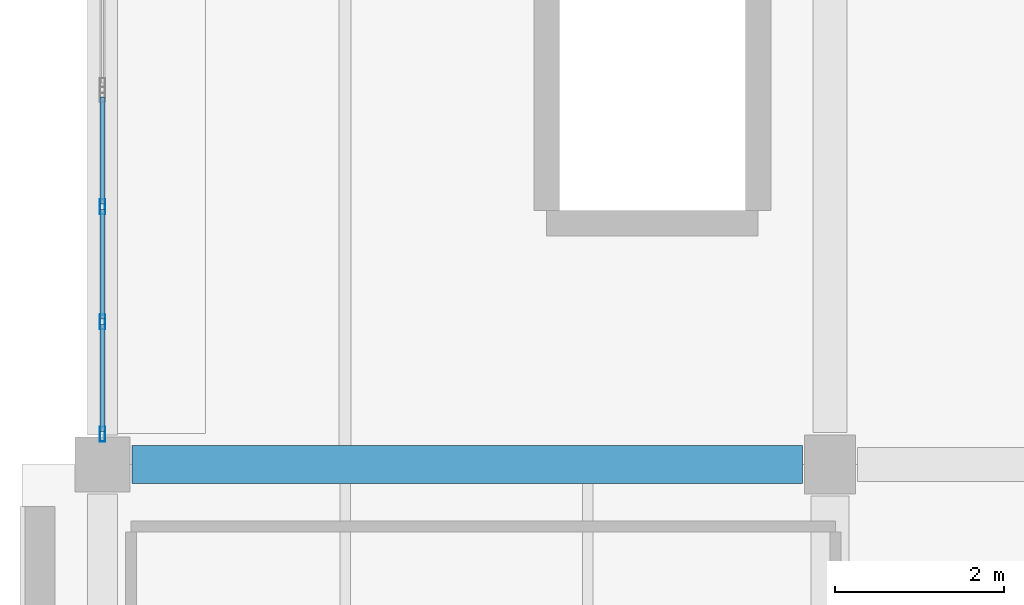
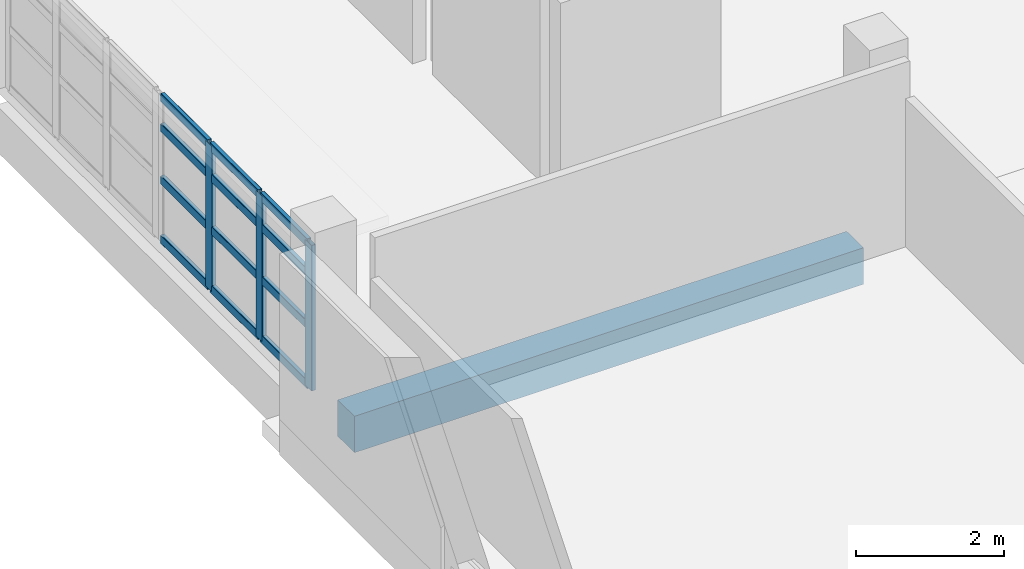
# One storey, part 7 of 34: 15 members, 1 beam, 1 element without a shape of its own.
"""IFC4 building model written with IfcOpenShell, lengths in metres."""

from ifc_helpers import new_model, si_unit, direction, frame, origin, origin_2d, place, context, subcontext, project, spatial, rectangle, hollow_rectangle, extrude, material, material_profile, profile_set, type_object, element, aggregate, save


model = new_model("IFC4")

# Units and contexts
model_context = context("Model", 3, precision=1e-05, world=origin(), true_north=direction((0.0, 1.0)))
body_context = subcontext(model_context, "Body", "Model", "MODEL_VIEW")
ifc_project = project(units=[si_unit("LENGTHUNIT", "METRE"), si_unit("AREAUNIT", "SQUARE_METRE"), si_unit("VOLUMEUNIT", "CUBIC_METRE"), si_unit("PLANEANGLEUNIT", "RADIAN"), si_unit("MASSUNIT", "GRAM", prefix="KILO")], contexts=[model_context])

# Site, building, storey
site_placement = place(None, origin())
site = spatial("IfcSite", under=ifc_project, at=site_placement, CompositionType="ELEMENT")
building_placement = place(site_placement, origin())
building = spatial("IfcBuilding", under=site, at=building_placement, Name="Varnakota Cinema and Media Centre", CompositionType="ELEMENT")
storey_placement = place(building_placement, frame((0.0, 0.0, 19.050048828125)))
storey = spatial("IfcBuildingStorey", under=building, at=storey_placement, Name="L05", CompositionType="ELEMENT", Elevation=19.050048828125)

# Beam
ifc_material_1 = material(Name="Concrete M35", Category="concrete")
ifc_material_profile_1 = material_profile(ifc_material_1, rectangle(XDim=0.449951171875, YDim=0.60009765625, at=origin_2d()), Name="RCB 450x600")
ifc_profile_set_1 = profile_set([ifc_material_profile_1], Name="Concrete M35")
beam_type = type_object("IfcBeamType", Name="BM-RC-450x600", PredefinedType="BEAM", material=ifc_profile_set_1)
beam_placement = place(storey_placement, frame((0.35009765625, 35.199951171875, -0.550048828125), z_axis=(1.0, 0.0, 0.0), x_axis=(0.0, 1.0, 0.0)))
element("IfcBeam", 1, at=beam_placement, inside=storey, type_object=beam_type, Name="L05 girder A-B/5", PredefinedType="BEAM", context=body_context, shape_type="SweptSolid", body=[
    extrude(rectangle(XDim=0.449951171875, YDim=0.60009765625, at=origin_2d()), origin(), (0.0, 0.0, 1.0), 7.9248046875),
])

# Curtain wall, members
ifc_material_2 = material(Name="Thermally broken anodised aluminium AW-6063", Category="aluminium")
curtain_wall_type = type_object("IfcCurtainWallType", Name="CW-STD-408x240", PredefinedType="USERDEFINED", material=ifc_material_2)
curtain_wall_placement = place(storey_placement, origin())
curtain_wall = element("IfcCurtainWall", 2, at=curtain_wall_placement, inside=storey, type_object=curtain_wall_type, Name="L05 curtain wall CW-L05-V5-W-03-2", ObjectType="UNITISED CURTAIN WALL", PredefinedType="USERDEFINED")
ifc_material_3 = material(Name="Thermally broken anodised aluminium AW-6063", Category="aluminium")
ifc_material_profile_2 = material_profile(ifc_material_3, hollow_rectangle(XDim=0.06494140625, YDim=0.179931640625, WallThickness=0.00390625, InnerFilletRadius=0.00390625, OuterFilletRadius=0.008056640625, at=origin_2d()), Name="AL-MULLION 180x65x4")
ifc_profile_set_2 = profile_set([ifc_material_profile_2], Name="Thermally broken anodised aluminium AW-6063")
member_type_1 = type_object("IfcMemberType", Name="CWM-AL-180", PredefinedType="MULLION", material=ifc_profile_set_2)
member_1_placement = place(storey_placement, frame((0.0, 38.2451171875, 0.0), z_axis=(0.0, 0.0, 1.0), x_axis=(1.0, 0.0, 0.0)))
member_1 = element("IfcMember", 3, at=member_1_placement, type_object=member_type_1, Name="CW57 mullion 2", PredefinedType="MULLION", context=body_context, shape_type="SweptSolid", body=[
    extrude(hollow_rectangle(XDim=0.06494140625, YDim=0.179931640625, WallThickness=0.00390625, InnerFilletRadius=0.00390625, OuterFilletRadius=0.008056640625, at=origin_2d()), origin(), (0.0, 0.0, 1.0), 2.39501953125),
])
member_2_placement = place(storey_placement, frame((0.0, 36.885009765625, 0.0), z_axis=(0.0, 0.0, 1.0), x_axis=(1.0, 0.0, 0.0)))
member_2 = element("IfcMember", 4, at=member_2_placement, type_object=member_type_1, Name="CW57 mullion 3", PredefinedType="MULLION", context=body_context, shape_type="SweptSolid", body=[
    extrude(hollow_rectangle(XDim=0.06494140625, YDim=0.179931640625, WallThickness=0.00390625, InnerFilletRadius=0.00390625, OuterFilletRadius=0.008056640625, at=origin_2d()), origin(), (0.0, 0.0, 1.0), 2.39501953125),
])
member_3_placement = place(storey_placement, frame((0.0, 35.5576171875, 0.0), z_axis=(0.0, 0.0, 1.0), x_axis=(1.0, 0.0, 0.0)))
member_3 = element("IfcMember", 5, at=member_3_placement, type_object=member_type_1, Name="CW57 mullion 4", PredefinedType="MULLION", context=body_context, shape_type="SweptSolid", body=[
    extrude(hollow_rectangle(XDim=0.06494140625, YDim=0.179931640625, WallThickness=0.00390625, InnerFilletRadius=0.00390625, OuterFilletRadius=0.008056640625, at=origin_2d()), origin(), (0.0, 0.0, 1.0), 2.39501953125),
])
ifc_material_4 = material(Name="Thermally broken anodised aluminium AW-6063", Category="aluminium")
ifc_material_profile_3 = material_profile(ifc_material_4, hollow_rectangle(XDim=0.06494140625, YDim=0.139892578125, WallThickness=0.00390625, InnerFilletRadius=0.00390625, OuterFilletRadius=0.008056640625, at=origin_2d()), Name="AL-TRANSOM 140x65x4")
ifc_profile_set_3 = profile_set([ifc_material_profile_3], Name="Thermally broken anodised aluminium AW-6063")
member_type_2 = type_object("IfcMemberType", Name="CWT-AL-140", PredefinedType="USERDEFINED", material=ifc_profile_set_3)
member_4_placement = place(storey_placement, frame((0.0, 39.5400390625, 0.032470703125), z_axis=(0.0, -1.0, 0.0), x_axis=(1.0, 0.0, 0.0)))
member_4 = element("IfcMember", 6, at=member_4_placement, type_object=member_type_2, Name="CW57 transom 1.1", ObjectType="TRANSOM", PredefinedType="USERDEFINED", context=body_context, shape_type="SweptSolid", body=[
    extrude(hollow_rectangle(XDim=0.06494140625, YDim=0.139892578125, WallThickness=0.00390625, InnerFilletRadius=0.00390625, OuterFilletRadius=0.008056640625, at=origin_2d()), origin(), (0.0, 0.0, 1.0), 1.262451171875),
])
member_5_placement = place(storey_placement, frame((0.0, 39.5400390625, 1.005859375), z_axis=(0.0, -1.0, 0.0), x_axis=(1.0, 0.0, 0.0)))
member_5 = element("IfcMember", 7, at=member_5_placement, type_object=member_type_2, Name="CW57 transom 1.2", ObjectType="TRANSOM", PredefinedType="USERDEFINED", context=body_context, shape_type="SweptSolid", body=[
    extrude(hollow_rectangle(XDim=0.06494140625, YDim=0.139892578125, WallThickness=0.00390625, InnerFilletRadius=0.00390625, OuterFilletRadius=0.008056640625, at=origin_2d()), origin(), (0.0, 0.0, 1.0), 1.262451171875),
])
member_6_placement = place(storey_placement, frame((0.0, 39.5400390625, 1.8681640625), z_axis=(0.0, -1.0, 0.0), x_axis=(1.0, 0.0, 0.0)))
member_6 = element("IfcMember", 8, at=member_6_placement, type_object=member_type_2, Name="CW57 transom 1.3", ObjectType="TRANSOM", PredefinedType="USERDEFINED", context=body_context, shape_type="SweptSolid", body=[
    extrude(hollow_rectangle(XDim=0.06494140625, YDim=0.139892578125, WallThickness=0.00390625, InnerFilletRadius=0.00390625, OuterFilletRadius=0.008056640625, at=origin_2d()), origin(), (0.0, 0.0, 1.0), 1.262451171875),
])
member_7_placement = place(storey_placement, frame((0.0, 39.5400390625, 2.362548828125), z_axis=(0.0, -1.0, 0.0), x_axis=(1.0, 0.0, 0.0)))
member_7 = element("IfcMember", 9, at=member_7_placement, type_object=member_type_2, Name="CW57 transom 1.4", ObjectType="TRANSOM", PredefinedType="USERDEFINED", context=body_context, shape_type="SweptSolid", body=[
    extrude(hollow_rectangle(XDim=0.06494140625, YDim=0.139892578125, WallThickness=0.00390625, InnerFilletRadius=0.00390625, OuterFilletRadius=0.008056640625, at=origin_2d()), origin(), (0.0, 0.0, 1.0), 1.262451171875),
])
member_8_placement = place(storey_placement, frame((0.0, 38.21240234375, 0.032470703125), z_axis=(0.0, -1.0, 0.0), x_axis=(1.0, 0.0, 0.0)))
member_8 = element("IfcMember", 10, at=member_8_placement, type_object=member_type_2, Name="CW57 transom 2.1", ObjectType="TRANSOM", PredefinedType="USERDEFINED", context=body_context, shape_type="SweptSolid", body=[
    extrude(hollow_rectangle(XDim=0.06494140625, YDim=0.139892578125, WallThickness=0.00390625, InnerFilletRadius=0.00390625, OuterFilletRadius=0.008056640625, at=origin_2d()), origin(), (0.0, 0.0, 1.0), 1.294921875),
])
member_9_placement = place(storey_placement, frame((0.0, 38.21240234375, 1.005859375), z_axis=(0.0, -1.0, 0.0), x_axis=(1.0, 0.0, 0.0)))
member_9 = element("IfcMember", 11, at=member_9_placement, type_object=member_type_2, Name="CW57 transom 2.2", ObjectType="TRANSOM", PredefinedType="USERDEFINED", context=body_context, shape_type="SweptSolid", body=[
    extrude(hollow_rectangle(XDim=0.06494140625, YDim=0.139892578125, WallThickness=0.00390625, InnerFilletRadius=0.00390625, OuterFilletRadius=0.008056640625, at=origin_2d()), origin(), (0.0, 0.0, 1.0), 1.294921875),
])
member_10_placement = place(storey_placement, frame((0.0, 38.21240234375, 1.8681640625), z_axis=(0.0, -1.0, 0.0), x_axis=(1.0, 0.0, 0.0)))
member_10 = element("IfcMember", 12, at=member_10_placement, type_object=member_type_2, Name="CW57 transom 2.3", ObjectType="TRANSOM", PredefinedType="USERDEFINED", context=body_context, shape_type="SweptSolid", body=[
    extrude(hollow_rectangle(XDim=0.06494140625, YDim=0.139892578125, WallThickness=0.00390625, InnerFilletRadius=0.00390625, OuterFilletRadius=0.008056640625, at=origin_2d()), origin(), (0.0, 0.0, 1.0), 1.294921875),
])
member_11_placement = place(storey_placement, frame((0.0, 38.21240234375, 2.362548828125), z_axis=(0.0, -1.0, 0.0), x_axis=(1.0, 0.0, 0.0)))
member_11 = element("IfcMember", 13, at=member_11_placement, type_object=member_type_2, Name="CW57 transom 2.4", ObjectType="TRANSOM", PredefinedType="USERDEFINED", context=body_context, shape_type="SweptSolid", body=[
    extrude(hollow_rectangle(XDim=0.06494140625, YDim=0.139892578125, WallThickness=0.00390625, InnerFilletRadius=0.00390625, OuterFilletRadius=0.008056640625, at=origin_2d()), origin(), (0.0, 0.0, 1.0), 1.294921875),
])
member_12_placement = place(storey_placement, frame((0.0, 36.8525390625, 0.032470703125), z_axis=(0.0, -1.0, 0.0), x_axis=(1.0, 0.0, 0.0)))
member_12 = element("IfcMember", 14, at=member_12_placement, type_object=member_type_2, Name="CW57 transom 3.1", ObjectType="TRANSOM", PredefinedType="USERDEFINED", context=body_context, shape_type="SweptSolid", body=[
    extrude(hollow_rectangle(XDim=0.06494140625, YDim=0.139892578125, WallThickness=0.00390625, InnerFilletRadius=0.00390625, OuterFilletRadius=0.008056640625, at=origin_2d()), origin(), (0.0, 0.0, 1.0), 1.262451171875),
])
member_13_placement = place(storey_placement, frame((0.0, 36.8525390625, 1.005859375), z_axis=(0.0, -1.0, 0.0), x_axis=(1.0, 0.0, 0.0)))
member_13 = element("IfcMember", 15, at=member_13_placement, type_object=member_type_2, Name="CW57 transom 3.2", ObjectType="TRANSOM", PredefinedType="USERDEFINED", context=body_context, shape_type="SweptSolid", body=[
    extrude(hollow_rectangle(XDim=0.06494140625, YDim=0.139892578125, WallThickness=0.00390625, InnerFilletRadius=0.00390625, OuterFilletRadius=0.008056640625, at=origin_2d()), origin(), (0.0, 0.0, 1.0), 1.262451171875),
])
member_14_placement = place(storey_placement, frame((0.0, 36.8525390625, 1.8681640625), z_axis=(0.0, -1.0, 0.0), x_axis=(1.0, 0.0, 0.0)))
member_14 = element("IfcMember", 16, at=member_14_placement, type_object=member_type_2, Name="CW57 transom 3.3", ObjectType="TRANSOM", PredefinedType="USERDEFINED", context=body_context, shape_type="SweptSolid", body=[
    extrude(hollow_rectangle(XDim=0.06494140625, YDim=0.139892578125, WallThickness=0.00390625, InnerFilletRadius=0.00390625, OuterFilletRadius=0.008056640625, at=origin_2d()), origin(), (0.0, 0.0, 1.0), 1.262451171875),
])
member_15_placement = place(storey_placement, frame((0.0, 36.8525390625, 2.362548828125), z_axis=(0.0, -1.0, 0.0), x_axis=(1.0, 0.0, 0.0)))
member_15 = element("IfcMember", 17, at=member_15_placement, type_object=member_type_2, Name="CW57 transom 3.4", ObjectType="TRANSOM", PredefinedType="USERDEFINED", context=body_context, shape_type="SweptSolid", body=[
    extrude(hollow_rectangle(XDim=0.06494140625, YDim=0.139892578125, WallThickness=0.00390625, InnerFilletRadius=0.00390625, OuterFilletRadius=0.008056640625, at=origin_2d()), origin(), (0.0, 0.0, 1.0), 1.262451171875),
])
aggregate(curtain_wall, [member_1, member_2, member_3, member_4, member_5, member_6, member_7, member_8, member_9, member_10, member_11, member_12, member_13, member_14, member_15])

save(model, "model.ifc")
